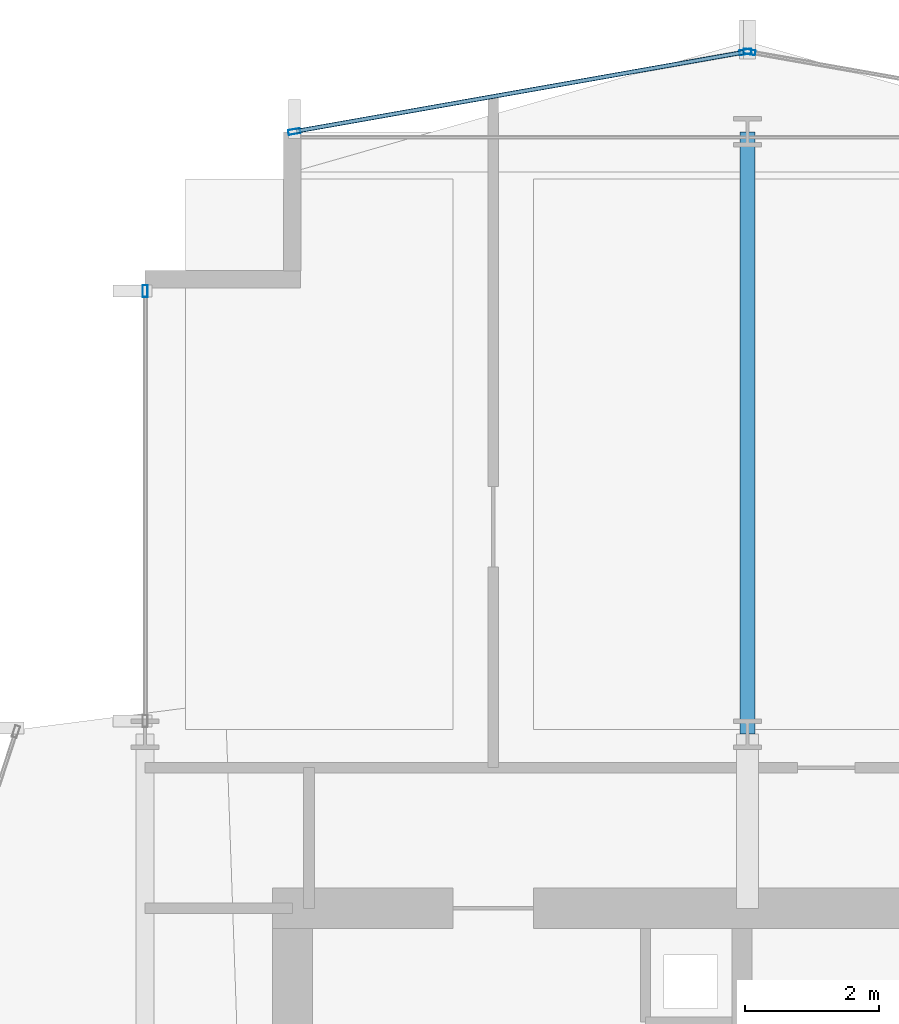
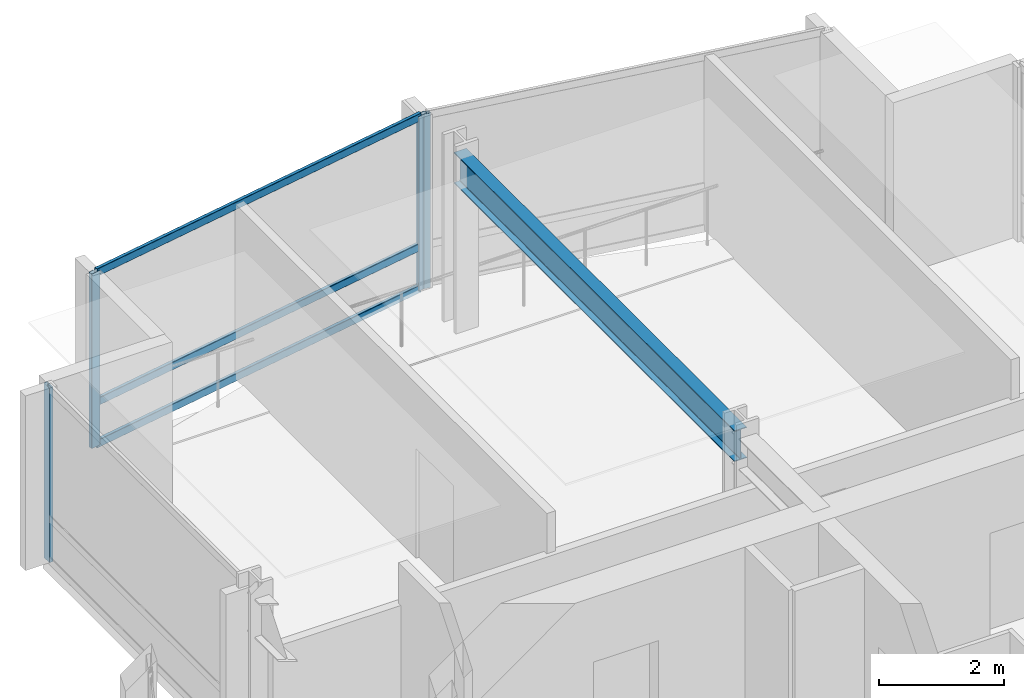
# One storey, part 19 of 29: 7 members, 1 beam, 3 elements without a shape of their own.
"""IFC4 building model written with IfcOpenShell, lengths in metres."""

from ifc_helpers import new_model, si_unit, direction, frame, origin, origin_2d, place, context, subcontext, project, spatial, hollow_rectangle, i_section, extrude, material, layer, layer_set, material_profile, profile_set, type_object, element, aggregate, save


model = new_model("IFC4")

# Units and contexts
model_context = context("Model", 3, precision=1e-05, world=origin(), true_north=direction((0.0, 1.0)))
body_context = subcontext(model_context, "Body", "Model", "MODEL_VIEW")
ifc_project = project(units=[si_unit("LENGTHUNIT", "METRE"), si_unit("AREAUNIT", "SQUARE_METRE"), si_unit("VOLUMEUNIT", "CUBIC_METRE"), si_unit("PLANEANGLEUNIT", "RADIAN"), si_unit("MASSUNIT", "GRAM", prefix="KILO")], contexts=[model_context])

# Site, building, storey
site_placement = place(None, origin())
site = spatial("IfcSite", under=ifc_project, at=site_placement, CompositionType="ELEMENT")
building_placement = place(site_placement, origin())
building = spatial("IfcBuilding", under=site, at=building_placement, Name="Solvaryn Broadcast Tower", CompositionType="ELEMENT")
storey_placement = place(building_placement, frame((0.0, 0.0, 124.800048828125)))
storey = spatial("IfcBuildingStorey", under=building, at=storey_placement, Name="L30", CompositionType="ELEMENT", Elevation=124.800048828125)

# Beam
ifc_material_1 = material(Name="Steel ASTM A992 Grade 50", Category="steel")
ifc_material_profile_1 = material_profile(ifc_material_1, i_section(OverallWidth=0.22802734375, OverallDepth=0.60791015625, WebThickness=0.01123046875, FlangeThickness=0.017333984375, FilletRadius=0.014892578125, at=origin_2d()))
ifc_profile_set_1 = profile_set([ifc_material_profile_1], Name="Steel ASTM A992 Grade 50")
beam_type = type_object("IfcBeamType", Name="BM-B2-W24X76", PredefinedType="BEAM", material=ifc_profile_set_1)
beam_placement = place(storey_placement, frame((18.0, 45.0, 3.115966796875), z_axis=(0.0, 1.0, 0.0), x_axis=(-1.0, 0.0, 0.0)))
element("IfcBeam", 1, at=beam_placement, inside=storey, type_object=beam_type, Name="L30 Primary Beam Y (45-54 @ X=18)", PredefinedType="BEAM", context=body_context, shape_type="SweptSolid", body=[
    extrude(i_section(OverallWidth=0.22802734375, OverallDepth=0.60791015625, WebThickness=0.01123046875, FlangeThickness=0.017333984375, FilletRadius=0.014892578125, at=origin_2d()), origin(), (0.0, 0.0, 1.0), 9.0),
])

# Curtain wall, member
ifc_material_2 = material(Name="Aluminium and Terracotta Unitised Curtain Wall", Category="masonry")
ifc_layer = layer(ifc_material_2, 0.199951171875)
ifc_layer_set = layer_set([ifc_layer], Name="CW-SYS2-LOWMID")
curtain_wall_type = type_object("IfcCurtainWallType", Name="CW-SYS2-LOWMID", PredefinedType="NOTDEFINED", material=ifc_layer_set)
curtain_wall_1_placement = place(storey_placement, origin())
curtain_wall_1 = element("IfcCurtainWall", 2, at=curtain_wall_1_placement, inside=storey, type_object=curtain_wall_type, Name="L30 Curtain Wall W2", PredefinedType="NOTDEFINED")
ifc_material_3 = material(Name="Anodised Aluminium 6063-T6", Category="aluminium")
ifc_material_profile_2 = material_profile(ifc_material_3, hollow_rectangle(XDim=0.074951171875, YDim=0.179931640625, WallThickness=0.00390625, InnerFilletRadius=0.00390625, OuterFilletRadius=0.008056640625, at=origin_2d()))
ifc_profile_set_2 = profile_set([ifc_material_profile_2], Name="Anodised Aluminium 6063-T6")
member_type_1 = type_object("IfcMemberType", Name="CW-MUL-180", PredefinedType="MULLION", material=ifc_profile_set_2)
member_1_placement = place(storey_placement, frame((9.0, 51.6201171875, 0.0), z_axis=(0.0, 0.0, 1.0), x_axis=(-1.0, 0.0, 0.0)))
member_1 = element("IfcMember", 3, at=member_1_placement, type_object=member_type_1, Name="CWS2 mullion 2", PredefinedType="MULLION", context=body_context, shape_type="SweptSolid", body=[
    extrude(hollow_rectangle(XDim=0.074951171875, YDim=0.179931640625, WallThickness=0.00390625, InnerFilletRadius=0.00390625, OuterFilletRadius=0.008056640625, at=origin_2d()), origin(), (0.0, 0.0, 1.0), 3.419921875),
])
aggregate(curtain_wall_1, [member_1])

curtain_wall_2_placement = place(storey_placement, origin())
curtain_wall_2 = element("IfcCurtainWall", 4, at=curtain_wall_2_placement, inside=storey, type_object=curtain_wall_type, Name="L30 Curtain Wall NT1", PredefinedType="NOTDEFINED")
member_2_placement = place(storey_placement, frame((18.029541015625, 55.19482421875, 0.0), z_axis=(0.0, 0.0, 1.0), x_axis=(-0.173785333901, -0.984783558819, 0.0)))
member_2 = element("IfcMember", 5, at=member_2_placement, type_object=member_type_1, Name="CWS2 mullion 2", PredefinedType="MULLION", context=body_context, shape_type="SweptSolid", body=[
    extrude(hollow_rectangle(XDim=0.074951171875, YDim=0.179931640625, WallThickness=0.00390625, InnerFilletRadius=0.00390625, OuterFilletRadius=0.008056640625, at=origin_2d()), origin(), (0.0, 0.0, 1.0), 3.419921875),
])
aggregate(curtain_wall_2, [member_2])

# Curtain wall, members
curtain_wall_3_placement = place(storey_placement, origin())
curtain_wall_3 = element("IfcCurtainWall", 6, at=curtain_wall_3_placement, inside=storey, type_object=curtain_wall_type, Name="L30 Curtain Wall NT2", PredefinedType="NOTDEFINED")
member_3_placement = place(storey_placement, frame((17.970458984375, 55.19482421875, 0.0), z_axis=(0.0, 0.0, 1.0), x_axis=(0.173785333901, -0.984783558819, 0.0)))
member_3 = element("IfcMember", 7, at=member_3_placement, type_object=member_type_1, Name="CWS2 mullion 1", PredefinedType="MULLION", context=body_context, shape_type="SweptSolid", body=[
    extrude(hollow_rectangle(XDim=0.074951171875, YDim=0.179931640625, WallThickness=0.00390625, InnerFilletRadius=0.00390625, OuterFilletRadius=0.008056640625, at=origin_2d()), origin(), (0.0, 0.0, 1.0), 3.419921875),
])
member_4_placement = place(storey_placement, frame((11.2294921875, 54.005126953125, 0.0), z_axis=(0.0, 0.0, 1.0), x_axis=(0.173785333901, -0.984783558819, 0.0)))
member_4 = element("IfcMember", 8, at=member_4_placement, type_object=member_type_1, Name="CWS2 mullion 2", PredefinedType="MULLION", context=body_context, shape_type="SweptSolid", body=[
    extrude(hollow_rectangle(XDim=0.074951171875, YDim=0.179931640625, WallThickness=0.00390625, InnerFilletRadius=0.00390625, OuterFilletRadius=0.008056640625, at=origin_2d()), origin(), (0.0, 0.0, 1.0), 3.419921875),
])
ifc_material_4 = material(Name="Anodised Aluminium 6063-T6", Category="aluminium")
ifc_material_profile_3 = material_profile(ifc_material_4, hollow_rectangle(XDim=0.06494140625, YDim=0.14990234375, WallThickness=0.00390625, InnerFilletRadius=0.00390625, OuterFilletRadius=0.008056640625, at=origin_2d()))
ifc_profile_set_3 = profile_set([ifc_material_profile_3], Name="Anodised Aluminium 6063-T6")
member_type_2 = type_object("IfcMemberType", Name="CW-TRN-150", PredefinedType="USERDEFINED", material=ifc_profile_set_3)
member_5_placement = place(storey_placement, frame((17.94091796875, 55.189453125, 0.030029296875), z_axis=(-0.984788629673, -0.173756596613, 0.0), x_axis=(0.173756596613, -0.984788629673, 0.0)))
member_5 = element("IfcMember", 9, at=member_5_placement, type_object=member_type_2, Name="CWS2 transom 1.1", ObjectType="TRANSOM", PredefinedType="USERDEFINED", context=body_context, shape_type="SweptSolid", body=[
    extrude(hollow_rectangle(XDim=0.06494140625, YDim=0.14990234375, WallThickness=0.00390625, InnerFilletRadius=0.00390625, OuterFilletRadius=0.008056640625, at=origin_2d()), origin(), (0.0, 0.0, 1.0), 6.78515625),
])
member_6_placement = place(storey_placement, frame((17.94091796875, 55.189453125, 0.849853515625), z_axis=(-0.984788629673, -0.173756596613, 0.0), x_axis=(0.173756596613, -0.984788629673, 0.0)))
member_6 = element("IfcMember", 10, at=member_6_placement, type_object=member_type_2, Name="CWS2 transom 1.2", ObjectType="TRANSOM", PredefinedType="USERDEFINED", context=body_context, shape_type="SweptSolid", body=[
    extrude(hollow_rectangle(XDim=0.06494140625, YDim=0.14990234375, WallThickness=0.00390625, InnerFilletRadius=0.00390625, OuterFilletRadius=0.008056640625, at=origin_2d()), origin(), (0.0, 0.0, 1.0), 6.78515625),
])
member_7_placement = place(storey_placement, frame((17.94091796875, 55.189453125, 3.389892578125), z_axis=(-0.984788629673, -0.173756596613, 0.0), x_axis=(0.173756596613, -0.984788629673, 0.0)))
member_7 = element("IfcMember", 11, at=member_7_placement, type_object=member_type_2, Name="CWS2 transom 1.3", ObjectType="TRANSOM", PredefinedType="USERDEFINED", context=body_context, shape_type="SweptSolid", body=[
    extrude(hollow_rectangle(XDim=0.06494140625, YDim=0.14990234375, WallThickness=0.00390625, InnerFilletRadius=0.00390625, OuterFilletRadius=0.008056640625, at=origin_2d()), origin(), (0.0, 0.0, 1.0), 6.78515625),
])
aggregate(curtain_wall_3, [member_3, member_4, member_5, member_6, member_7])

save(model, "model.ifc")
